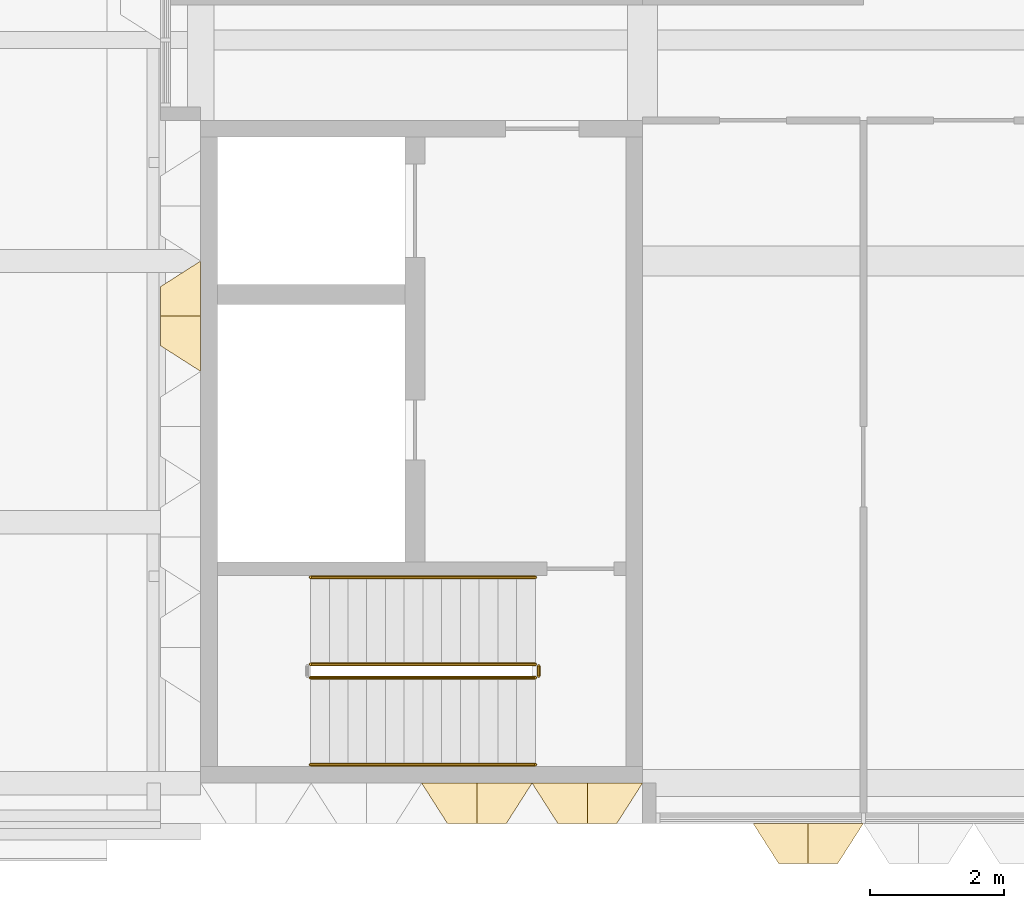
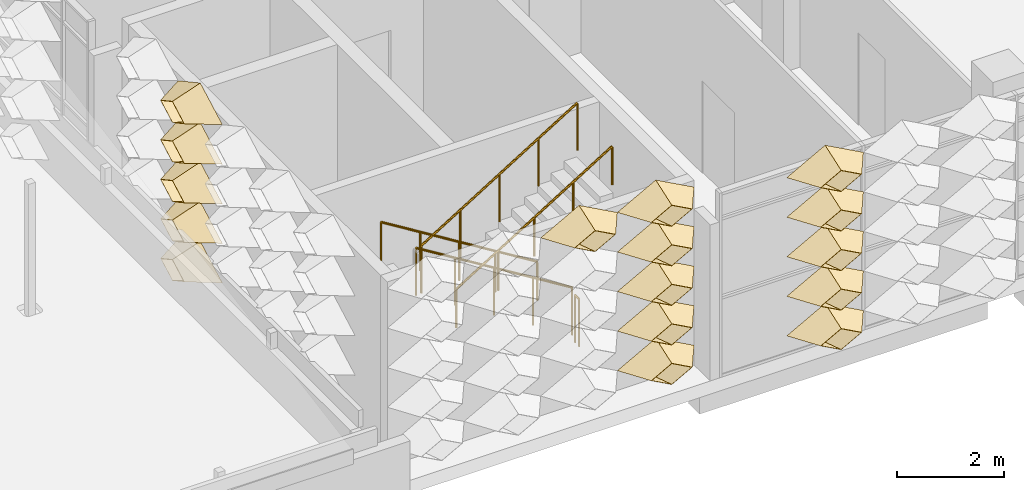
# One storey, part 23 of 39: 16 coverings, 5 railings.
"""IFC4 building model written with IfcOpenShell, lengths in metres."""

import ifcopenshell
import ifcopenshell.guid

model = None  # the IFC model being written
_history = None  # IfcOwnerHistory: only IFC2X3 demands one
_inside = {}  # id of a spatial element -> (the spatial element, [elements in it])
_under = {}  # id of a project, library or spatial element -> (it, [spatial elements below it])
_declared = {}  # id of a project -> (the project, [libraries it declares])
_typed = {}  # id of a type object -> (the type object, [elements of that type])
_made_of = {}  # id of a material, layer set ... -> (it, [elements and type objects made of it])


def new_model(schema):
    """Start an empty IFC model of exactly this schema.

    Asked for "IFC4X3", IfcOpenShell would pick the latest addendum, in which some entities
    have other attributes; the version numbers below select the first issue.
    IFC2X3 requires an IfcOwnerHistory on every rooted entity: one is made here for all.
    """
    global model, _history
    if schema == "IFC4X3":
        model = ifcopenshell.file(schema_version=(4, 3, 0, 0))
    else:
        model = ifcopenshell.file(schema=schema)
    _inside.clear()
    _under.clear()
    _declared.clear()
    _typed.clear()
    _made_of.clear()
    _history = None
    if model.schema == "IFC2X3":
        org = make("IfcOrganization", Name="unknown")
        user = make(
            "IfcPersonAndOrganization",
            ThePerson=make("IfcPerson", FamilyName="unknown"),
            TheOrganization=org,
        )
        app = make(
            "IfcApplication",
            ApplicationDeveloper=org,
            Version="unknown",
            ApplicationFullName="unknown",
            ApplicationIdentifier="unknown",
        )
        _history = make(
            "IfcOwnerHistory",
            OwningUser=user,
            OwningApplication=app,
            ChangeAction="ADDED",
            CreationDate=0,
        )
    return model


def make(cls, **values):
    """One entity of the class cls with the attributes given. An attribute that is None is left unset."""
    return model.create_entity(
        cls, **{name: value for name, value in values.items() if value is not None}
    )


def entity(cls, *values):
    """Any entity or typed value of the class cls, its attributes in the order of the schema. None: left unset."""
    e = model.create_entity(cls)
    for i, value in enumerate(values):
        if value is not None:
            e[i] = value
    return e


def rooted(cls, **values):
    """An entity with a GlobalId (a new one), such as an element, a storey or a relation."""
    return make(cls, GlobalId=ifcopenshell.guid.new(), OwnerHistory=_history, **values)


def si_unit(unit_type, name, prefix=None):
    """IfcSIUnit, for example si_unit("LENGTHUNIT", "METRE", prefix="MILLI")."""
    return make("IfcSIUnit", UnitType=unit_type, Prefix=prefix, Name=name)


def assignment(units):
    """IfcUnitAssignment: the units of a project."""
    return None if units is None else make("IfcUnitAssignment", Units=units)


def point(xyz):
    """IfcCartesianPoint."""
    return None if xyz is None else make("IfcCartesianPoint", Coordinates=xyz)


def direction(xyz):
    """IfcDirection."""
    return None if xyz is None else make("IfcDirection", DirectionRatios=xyz)


def frame(location, z_axis=None, x_axis=None):
    """IfcAxis2Placement3D, a coordinate frame: its origin and axes. An axis left out is left unset."""
    return make(
        "IfcAxis2Placement3D",
        Location=point(location),
        Axis=direction(z_axis),
        RefDirection=direction(x_axis),
    )


def frame_2d(location, x_axis=None):
    """IfcAxis2Placement2D, a coordinate frame in the plane: its origin and x axis."""
    return make(
        "IfcAxis2Placement2D", Location=point(location), RefDirection=direction(x_axis)
    )


def origin():
    """The frame at (0, 0, 0) with its axes left unset."""
    return frame((0.0, 0.0, 0.0))


def origin_2d():
    """The frame at (0, 0) in the plane with its x axis left unset."""
    return frame_2d((0.0, 0.0))


def place(relative_to, where):
    """IfcLocalPlacement: puts the frame where relative to a parent placement (None: the world)."""
    return make(
        "IfcLocalPlacement", PlacementRelTo=relative_to, RelativePlacement=where
    )


def context(
    kind, dimensions, precision=None, world=None, true_north=None, identifier=None
):
    """IfcGeometricRepresentationContext, for example the 3D "Model" context."""
    return make(
        "IfcGeometricRepresentationContext",
        ContextIdentifier=identifier,
        ContextType=kind,
        CoordinateSpaceDimension=dimensions,
        Precision=precision,
        WorldCoordinateSystem=world,
        TrueNorth=true_north,
    )


def subcontext(parent, identifier, kind, view, scale=None):
    """IfcGeometricRepresentationSubContext, for example "Body" below "Model"."""
    return make(
        "IfcGeometricRepresentationSubContext",
        ContextIdentifier=identifier,
        ContextType=kind,
        ParentContext=parent,
        TargetScale=scale,
        TargetView=view,
    )


def project(units=None, contexts=None):
    """IfcProject with its units and contexts."""
    return rooted(
        "IfcProject",
        Name="project",
        RepresentationContexts=contexts,
        UnitsInContext=assignment(units),
    )


def spatial(cls, under=None, at=None, **own):
    """A site, building, storey or space (cls), placed at a placement, below another one or the project."""
    s = rooted(cls, ObjectPlacement=at, **own)
    if under is not None:
        _under.setdefault(under.id(), (under, []))[1].append(s)
    return s


def profile(cls, at=None, kind="AREA", **sizes):
    """A parametric profile (cls). Its sizes go by their IFC names, for example OverallWidth=200.0."""
    return make(cls, ProfileType=kind, Position=at, **sizes)


def circle(**sizes):
    """IfcCircleProfileDef."""
    return profile("IfcCircleProfileDef", **sizes)


def extrude(swept, where, along, depth):
    """IfcExtrudedAreaSolid: the profile swept, set in the frame where, extruded along a direction by depth."""
    return make(
        "IfcExtrudedAreaSolid",
        SweptArea=swept,
        Position=where,
        ExtrudedDirection=direction(along),
        Depth=depth,
    )


def shape(context_of_items, identifier, shape_type, items):
    """IfcShapeRepresentation: the items that make up one representation, for example the "Body"."""
    return make(
        "IfcShapeRepresentation",
        ContextOfItems=context_of_items,
        RepresentationIdentifier=identifier,
        RepresentationType=shape_type,
        Items=items,
    )


def material(Name=None, Category=None):
    """IfcMaterial."""
    return make("IfcMaterial", Name=Name, Category=Category)


def layer(
    of_material, thickness, ventilated=None, Name=None, Category=None, Priority=None
):
    """IfcMaterialLayer: one layer of a wall or slab, of a material (None: an air gap)."""
    return make(
        "IfcMaterialLayer",
        Material=of_material,
        LayerThickness=thickness,
        IsVentilated=ventilated,
        Name=Name,
        Category=Category,
        Priority=Priority,
    )


def layer_set(layers, Name=None):
    """IfcMaterialLayerSet."""
    return make("IfcMaterialLayerSet", MaterialLayers=layers, LayerSetName=Name)


def made_of(thing, what):
    """Note that an element or type object is made of a material, layer set ...; save() writes the relation."""
    if what is not None:
        _made_of.setdefault(what.id(), (what, []))[1].append(thing)
    return thing


def type_object(cls, material=None, **own):
    """A type object (cls), such as IfcWallType, which elements share."""
    return made_of(rooted(cls, **own), material)


def element(
    cls,
    number,
    at=None,
    inside=None,
    cuts=None,
    type_object=None,
    material=None,
    context=None,
    identifier="Body",
    shape_type=None,
    held_by="IfcProductDefinitionShape",
    body=None,
    shapes=None,
    **own,
):
    """One element of the class cls, such as IfcWall. Its Tag is "e" and its number.

    at: its placement. inside: the storey or other place that contains it. cuts: it is an
    opening in that element (IfcRelVoidsElement). A single representation is given by context,
    identifier, shape_type and body (its items); several are given by shapes. held_by: the class
    of the entity that holds the representations. save() writes the other relations.
    """
    e = rooted(cls, Tag="e%d" % number, ObjectPlacement=at, **own)
    if body is not None:
        shapes = [shape(context, identifier, shape_type, body)]
    if shapes is not None:
        e.Representation = make(held_by, Representations=shapes)
    if inside is not None:
        _inside.setdefault(inside.id(), (inside, []))[1].append(e)
    if cuts is not None:
        rooted(
            "IfcRelVoidsElement", RelatingBuildingElement=cuts, RelatedOpeningElement=e
        )
    if type_object is not None:
        _typed.setdefault(type_object.id(), (type_object, []))[1].append(e)
    return made_of(e, material)


def aggregate(whole, parts):
    """IfcRelAggregates: a whole, such as a stair, and the parts it consists of."""
    return rooted("IfcRelAggregates", RelatingObject=whole, RelatedObjects=parts)


def save(model, path):
    """Write the relations noted so far, then the file.

    IfcRelAggregates (storeys below a building ...), IfcRelContainedInSpatialStructure (elements
    in a storey), IfcRelDefinesByType, IfcRelAssociatesMaterial and IfcRelDeclares: one each for
    every whole, place, type object, material and project.
    """
    for whole, parts in _under.values():
        aggregate(whole, parts)
    for where, things in _inside.values():
        rooted(
            "IfcRelContainedInSpatialStructure",
            RelatedElements=things,
            RelatingStructure=where,
        )
    for kind, things in _typed.values():
        rooted("IfcRelDefinesByType", RelatedObjects=things, RelatingType=kind)
    for what, things in _made_of.values():
        rooted("IfcRelAssociatesMaterial", RelatedObjects=things, RelatingMaterial=what)
    for by, libraries in _declared.values():
        rooted("IfcRelDeclares", RelatingContext=by, RelatedDefinitions=libraries)
    model.write(path)


model = new_model("IFC4")

# Units and contexts
model_context = context("Model", 3, precision=1e-05, world=origin(), true_north=direction((0.0, 1.0)))
body_context = subcontext(model_context, "Body", "Model", "MODEL_VIEW")
ifc_project = project(units=[si_unit("LENGTHUNIT", "METRE"), si_unit("AREAUNIT", "SQUARE_METRE"), si_unit("VOLUMEUNIT", "CUBIC_METRE"), si_unit("PLANEANGLEUNIT", "RADIAN"), si_unit("MASSUNIT", "GRAM", prefix="KILO")], contexts=[model_context])

# Site, building, storey
site_placement = place(None, origin())
site = spatial("IfcSite", under=ifc_project, at=site_placement, CompositionType="ELEMENT")
building_placement = place(site_placement, origin())
building = spatial("IfcBuilding", under=site, at=building_placement, Name="Lantern Court Research Institute", CompositionType="ELEMENT")
storey_placement = place(building_placement, frame((0.0, 0.0, 27.89990234375)))
storey = spatial("IfcBuildingStorey", under=building, at=storey_placement, Name="L06", CompositionType="ELEMENT", Elevation=27.89990234375)

# Coverings
ifc_material_1 = material(Name="Anodised aluminium", Category="aluminium")
ifc_layer = layer(ifc_material_1, 0.01611328125)
ifc_layer_set = layer_set([ifc_layer], Name="Anodised aluminium")
covering_type = type_object("IfcCoveringType", Name="Fin cassette 1650 x 900 x 600 aluminium", PredefinedType="CLADDING", material=ifc_layer_set)
covering_1_placement = place(storey_placement, frame((58.574951171875, -7.800048828125, 0.4501953125), z_axis=(0.0, -1.0, 0.0), x_axis=(1.0, 0.0, 0.0)))
cartesian_point_1 = entity("IfcCartesianPoint", [0.824951171875, 0.0])
cartesian_point_2 = entity("IfcCartesianPoint", [0.79150390625, 0.0])
cartesian_point_3 = entity("IfcCartesianPoint", [0.44189453125, 0.0])
cartesian_point_4 = entity("IfcCartesianPoint", [0.43359375, 0.0])
element("IfcCovering", 1, at=covering_1_placement, inside=storey, type_object=covering_type, Name="Fin cassette V5S-L06 1.36", PredefinedType="CLADDING", context=body_context, shape_type="SweptSolid", body=[
    entity("IfcExtrudedAreaSolidTapered", entity("IfcArbitraryProfileDefWithVoids", "AREA", None, entity("IfcPolyline", [cartesian_point_1, entity("IfcCartesianPoint", [0.0, 0.449951171875]), entity("IfcCartesianPoint", [-0.824951171875, 0.0]), entity("IfcCartesianPoint", [0.0, -0.449951171875]), cartesian_point_1]), [entity("IfcPolyline", [cartesian_point_2, entity("IfcCartesianPoint", [0.0, 0.431884765625]), entity("IfcCartesianPoint", [-0.79150390625, 0.0]), entity("IfcCartesianPoint", [0.0, -0.431884765625]), cartesian_point_2])]), entity("IfcAxis2Placement3D", entity("IfcCartesianPoint", [0.0, 0.0, 0.0])), entity("IfcDirection", [0.0, 0.0, 1.0]), 0.60009765625, entity("IfcArbitraryProfileDefWithVoids", "AREA", None, entity("IfcPolyline", [cartesian_point_3, entity("IfcCartesianPoint", [0.0, 0.240966796875]), entity("IfcCartesianPoint", [-0.44189453125, 0.0]), entity("IfcCartesianPoint", [0.0, -0.240966796875]), cartesian_point_3]), [entity("IfcPolyline", [cartesian_point_4, entity("IfcCartesianPoint", [0.0, 0.236572265625]), entity("IfcCartesianPoint", [-0.43359375, 0.0]), entity("IfcCartesianPoint", [0.0, -0.236572265625]), cartesian_point_4])])),
])
covering_2_placement = place(storey_placement, frame((58.574951171875, -7.800048828125, 1.35009765625), z_axis=(0.0, -1.0, 0.0), x_axis=(1.0, 0.0, 0.0)))
cartesian_point_5 = entity("IfcCartesianPoint", [0.824951171875, 0.0])
cartesian_point_6 = entity("IfcCartesianPoint", [0.79150390625, 0.0])
cartesian_point_7 = entity("IfcCartesianPoint", [0.44189453125, 0.0])
cartesian_point_8 = entity("IfcCartesianPoint", [0.43359375, 0.0])
element("IfcCovering", 2, at=covering_2_placement, inside=storey, type_object=covering_type, Name="Fin cassette V5S-L06 2.36", PredefinedType="CLADDING", context=body_context, shape_type="SweptSolid", body=[
    entity("IfcExtrudedAreaSolidTapered", entity("IfcArbitraryProfileDefWithVoids", "AREA", None, entity("IfcPolyline", [cartesian_point_5, entity("IfcCartesianPoint", [0.0, 0.449951171875]), entity("IfcCartesianPoint", [-0.824951171875, 0.0]), entity("IfcCartesianPoint", [0.0, -0.449951171875]), cartesian_point_5]), [entity("IfcPolyline", [cartesian_point_6, entity("IfcCartesianPoint", [0.0, 0.431884765625]), entity("IfcCartesianPoint", [-0.79150390625, 0.0]), entity("IfcCartesianPoint", [0.0, -0.431884765625]), cartesian_point_6])]), entity("IfcAxis2Placement3D", entity("IfcCartesianPoint", [0.0, 0.0, 0.0])), entity("IfcDirection", [0.0, 0.0, 1.0]), 0.60009765625, entity("IfcArbitraryProfileDefWithVoids", "AREA", None, entity("IfcPolyline", [cartesian_point_7, entity("IfcCartesianPoint", [0.0, 0.240966796875]), entity("IfcCartesianPoint", [-0.44189453125, 0.0]), entity("IfcCartesianPoint", [0.0, -0.240966796875]), cartesian_point_7]), [entity("IfcPolyline", [cartesian_point_8, entity("IfcCartesianPoint", [0.0, 0.236572265625]), entity("IfcCartesianPoint", [-0.43359375, 0.0]), entity("IfcCartesianPoint", [0.0, -0.236572265625]), cartesian_point_8])])),
])
covering_3_placement = place(storey_placement, frame((58.574951171875, -7.800048828125, 2.25), z_axis=(0.0, -1.0, 0.0), x_axis=(1.0, 0.0, 0.0)))
cartesian_point_9 = entity("IfcCartesianPoint", [0.824951171875, 0.0])
cartesian_point_10 = entity("IfcCartesianPoint", [0.79150390625, 0.0])
cartesian_point_11 = entity("IfcCartesianPoint", [0.44189453125, 0.0])
cartesian_point_12 = entity("IfcCartesianPoint", [0.43359375, 0.0])
element("IfcCovering", 3, at=covering_3_placement, inside=storey, type_object=covering_type, Name="Fin cassette V5S-L06 3.36", PredefinedType="CLADDING", context=body_context, shape_type="SweptSolid", body=[
    entity("IfcExtrudedAreaSolidTapered", entity("IfcArbitraryProfileDefWithVoids", "AREA", None, entity("IfcPolyline", [cartesian_point_9, entity("IfcCartesianPoint", [0.0, 0.449951171875]), entity("IfcCartesianPoint", [-0.824951171875, 0.0]), entity("IfcCartesianPoint", [0.0, -0.449951171875]), cartesian_point_9]), [entity("IfcPolyline", [cartesian_point_10, entity("IfcCartesianPoint", [0.0, 0.431884765625]), entity("IfcCartesianPoint", [-0.79150390625, 0.0]), entity("IfcCartesianPoint", [0.0, -0.431884765625]), cartesian_point_10])]), entity("IfcAxis2Placement3D", entity("IfcCartesianPoint", [0.0, 0.0, 0.0])), entity("IfcDirection", [0.0, 0.0, 1.0]), 0.60009765625, entity("IfcArbitraryProfileDefWithVoids", "AREA", None, entity("IfcPolyline", [cartesian_point_11, entity("IfcCartesianPoint", [0.0, 0.240966796875]), entity("IfcCartesianPoint", [-0.44189453125, 0.0]), entity("IfcCartesianPoint", [0.0, -0.240966796875]), cartesian_point_11]), [entity("IfcPolyline", [cartesian_point_12, entity("IfcCartesianPoint", [0.0, 0.236572265625]), entity("IfcCartesianPoint", [-0.43359375, 0.0]), entity("IfcCartesianPoint", [0.0, -0.236572265625]), cartesian_point_12])])),
])
covering_4_placement = place(storey_placement, frame((58.574951171875, -7.800048828125, 3.150146484375), z_axis=(0.0, -1.0, 0.0), x_axis=(1.0, 0.0, 0.0)))
cartesian_point_13 = entity("IfcCartesianPoint", [0.824951171875, 0.0])
cartesian_point_14 = entity("IfcCartesianPoint", [0.79150390625, 0.0])
cartesian_point_15 = entity("IfcCartesianPoint", [0.44189453125, 0.0])
cartesian_point_16 = entity("IfcCartesianPoint", [0.43359375, 0.0])
element("IfcCovering", 4, at=covering_4_placement, inside=storey, type_object=covering_type, Name="Fin cassette V5S-L06 4.36", PredefinedType="CLADDING", context=body_context, shape_type="SweptSolid", body=[
    entity("IfcExtrudedAreaSolidTapered", entity("IfcArbitraryProfileDefWithVoids", "AREA", None, entity("IfcPolyline", [cartesian_point_13, entity("IfcCartesianPoint", [0.0, 0.449951171875]), entity("IfcCartesianPoint", [-0.824951171875, 0.0]), entity("IfcCartesianPoint", [0.0, -0.449951171875]), cartesian_point_13]), [entity("IfcPolyline", [cartesian_point_14, entity("IfcCartesianPoint", [0.0, 0.431884765625]), entity("IfcCartesianPoint", [-0.79150390625, 0.0]), entity("IfcCartesianPoint", [0.0, -0.431884765625]), cartesian_point_14])]), entity("IfcAxis2Placement3D", entity("IfcCartesianPoint", [0.0, 0.0, 0.0])), entity("IfcDirection", [0.0, 0.0, 1.0]), 0.60009765625, entity("IfcArbitraryProfileDefWithVoids", "AREA", None, entity("IfcPolyline", [cartesian_point_15, entity("IfcCartesianPoint", [0.0, 0.240966796875]), entity("IfcCartesianPoint", [-0.44189453125, 0.0]), entity("IfcCartesianPoint", [0.0, -0.240966796875]), cartesian_point_15]), [entity("IfcPolyline", [cartesian_point_16, entity("IfcCartesianPoint", [0.0, 0.236572265625]), entity("IfcCartesianPoint", [-0.43359375, 0.0]), entity("IfcCartesianPoint", [0.0, -0.236572265625]), cartesian_point_16])])),
])
covering_5_placement = place(storey_placement, frame((56.925048828125, -7.800048828125, 4.050048828125), z_axis=(0.0, -1.0, 0.0), x_axis=(1.0, 0.0, 0.0)))
cartesian_point_17 = entity("IfcCartesianPoint", [0.824951171875, 0.0])
cartesian_point_18 = entity("IfcCartesianPoint", [0.79150390625, 0.0])
cartesian_point_19 = entity("IfcCartesianPoint", [0.44189453125, 0.0])
cartesian_point_20 = entity("IfcCartesianPoint", [0.43359375, 0.0])
element("IfcCovering", 5, at=covering_5_placement, inside=storey, type_object=covering_type, Name="Fin cassette V5S-L06 5.35", PredefinedType="CLADDING", context=body_context, shape_type="SweptSolid", body=[
    entity("IfcExtrudedAreaSolidTapered", entity("IfcArbitraryProfileDefWithVoids", "AREA", None, entity("IfcPolyline", [cartesian_point_17, entity("IfcCartesianPoint", [0.0, 0.449951171875]), entity("IfcCartesianPoint", [-0.824951171875, 0.0]), entity("IfcCartesianPoint", [0.0, -0.449951171875]), cartesian_point_17]), [entity("IfcPolyline", [cartesian_point_18, entity("IfcCartesianPoint", [0.0, 0.431884765625]), entity("IfcCartesianPoint", [-0.79150390625, 0.0]), entity("IfcCartesianPoint", [0.0, -0.431884765625]), cartesian_point_18])]), entity("IfcAxis2Placement3D", entity("IfcCartesianPoint", [0.0, 0.0, 0.0])), entity("IfcDirection", [0.0, 0.0, 1.0]), 0.60009765625, entity("IfcArbitraryProfileDefWithVoids", "AREA", None, entity("IfcPolyline", [cartesian_point_19, entity("IfcCartesianPoint", [0.0, 0.240966796875]), entity("IfcCartesianPoint", [-0.44189453125, 0.0]), entity("IfcCartesianPoint", [0.0, -0.240966796875]), cartesian_point_19]), [entity("IfcPolyline", [cartesian_point_20, entity("IfcCartesianPoint", [0.0, 0.236572265625]), entity("IfcCartesianPoint", [-0.43359375, 0.0]), entity("IfcCartesianPoint", [0.0, -0.236572265625]), cartesian_point_20])])),
])
covering_6_placement = place(storey_placement, frame((58.574951171875, -7.800048828125, 4.050048828125), z_axis=(0.0, -1.0, 0.0), x_axis=(1.0, 0.0, 0.0)))
cartesian_point_21 = entity("IfcCartesianPoint", [0.824951171875, 0.0])
cartesian_point_22 = entity("IfcCartesianPoint", [0.79150390625, 0.0])
cartesian_point_23 = entity("IfcCartesianPoint", [0.44189453125, 0.0])
cartesian_point_24 = entity("IfcCartesianPoint", [0.43359375, 0.0])
element("IfcCovering", 6, at=covering_6_placement, inside=storey, type_object=covering_type, Name="Fin cassette V5S-L06 5.36", PredefinedType="CLADDING", context=body_context, shape_type="SweptSolid", body=[
    entity("IfcExtrudedAreaSolidTapered", entity("IfcArbitraryProfileDefWithVoids", "AREA", None, entity("IfcPolyline", [cartesian_point_21, entity("IfcCartesianPoint", [0.0, 0.449951171875]), entity("IfcCartesianPoint", [-0.824951171875, 0.0]), entity("IfcCartesianPoint", [0.0, -0.449951171875]), cartesian_point_21]), [entity("IfcPolyline", [cartesian_point_22, entity("IfcCartesianPoint", [0.0, 0.431884765625]), entity("IfcCartesianPoint", [-0.79150390625, 0.0]), entity("IfcCartesianPoint", [0.0, -0.431884765625]), cartesian_point_22])]), entity("IfcAxis2Placement3D", entity("IfcCartesianPoint", [0.0, 0.0, 0.0])), entity("IfcDirection", [0.0, 0.0, 1.0]), 0.60009765625, entity("IfcArbitraryProfileDefWithVoids", "AREA", None, entity("IfcPolyline", [cartesian_point_23, entity("IfcCartesianPoint", [0.0, 0.240966796875]), entity("IfcCartesianPoint", [-0.44189453125, 0.0]), entity("IfcCartesianPoint", [0.0, -0.240966796875]), cartesian_point_23]), [entity("IfcPolyline", [cartesian_point_24, entity("IfcCartesianPoint", [0.0, 0.236572265625]), entity("IfcCartesianPoint", [-0.43359375, 0.0]), entity("IfcCartesianPoint", [0.0, -0.236572265625]), cartesian_point_24])])),
])
covering_7_placement = place(storey_placement, frame((61.875, -8.39990234375, 0.4501953125), z_axis=(0.0, -1.0, 0.0), x_axis=(1.0, 0.0, 0.0)))
cartesian_point_25 = entity("IfcCartesianPoint", [0.824951171875, 0.0])
cartesian_point_26 = entity("IfcCartesianPoint", [0.79150390625, 0.0])
cartesian_point_27 = entity("IfcCartesianPoint", [0.44189453125, 0.0])
cartesian_point_28 = entity("IfcCartesianPoint", [0.43359375, 0.0])
element("IfcCovering", 7, at=covering_7_placement, inside=storey, type_object=covering_type, Name="Fin cassette V5S-L06 1.38", PredefinedType="CLADDING", context=body_context, shape_type="SweptSolid", body=[
    entity("IfcExtrudedAreaSolidTapered", entity("IfcArbitraryProfileDefWithVoids", "AREA", None, entity("IfcPolyline", [cartesian_point_25, entity("IfcCartesianPoint", [0.0, 0.449951171875]), entity("IfcCartesianPoint", [-0.824951171875, 0.0]), entity("IfcCartesianPoint", [0.0, -0.449951171875]), cartesian_point_25]), [entity("IfcPolyline", [cartesian_point_26, entity("IfcCartesianPoint", [0.0, 0.431884765625]), entity("IfcCartesianPoint", [-0.79150390625, 0.0]), entity("IfcCartesianPoint", [0.0, -0.431884765625]), cartesian_point_26])]), entity("IfcAxis2Placement3D", entity("IfcCartesianPoint", [0.0, 0.0, 0.0])), entity("IfcDirection", [0.0, 0.0, 1.0]), 0.60009765625, entity("IfcArbitraryProfileDefWithVoids", "AREA", None, entity("IfcPolyline", [cartesian_point_27, entity("IfcCartesianPoint", [0.0, 0.240966796875]), entity("IfcCartesianPoint", [-0.44189453125, 0.0]), entity("IfcCartesianPoint", [0.0, -0.240966796875]), cartesian_point_27]), [entity("IfcPolyline", [cartesian_point_28, entity("IfcCartesianPoint", [0.0, 0.236572265625]), entity("IfcCartesianPoint", [-0.43359375, 0.0]), entity("IfcCartesianPoint", [0.0, -0.236572265625]), cartesian_point_28])])),
])
covering_8_placement = place(storey_placement, frame((61.875, -8.39990234375, 1.35009765625), z_axis=(0.0, -1.0, 0.0), x_axis=(1.0, 0.0, 0.0)))
cartesian_point_29 = entity("IfcCartesianPoint", [0.824951171875, 0.0])
cartesian_point_30 = entity("IfcCartesianPoint", [0.79150390625, 0.0])
cartesian_point_31 = entity("IfcCartesianPoint", [0.44189453125, 0.0])
cartesian_point_32 = entity("IfcCartesianPoint", [0.43359375, 0.0])
element("IfcCovering", 8, at=covering_8_placement, inside=storey, type_object=covering_type, Name="Fin cassette V5S-L06 2.38", PredefinedType="CLADDING", context=body_context, shape_type="SweptSolid", body=[
    entity("IfcExtrudedAreaSolidTapered", entity("IfcArbitraryProfileDefWithVoids", "AREA", None, entity("IfcPolyline", [cartesian_point_29, entity("IfcCartesianPoint", [0.0, 0.449951171875]), entity("IfcCartesianPoint", [-0.824951171875, 0.0]), entity("IfcCartesianPoint", [0.0, -0.449951171875]), cartesian_point_29]), [entity("IfcPolyline", [cartesian_point_30, entity("IfcCartesianPoint", [0.0, 0.431884765625]), entity("IfcCartesianPoint", [-0.79150390625, 0.0]), entity("IfcCartesianPoint", [0.0, -0.431884765625]), cartesian_point_30])]), entity("IfcAxis2Placement3D", entity("IfcCartesianPoint", [0.0, 0.0, 0.0])), entity("IfcDirection", [0.0, 0.0, 1.0]), 0.60009765625, entity("IfcArbitraryProfileDefWithVoids", "AREA", None, entity("IfcPolyline", [cartesian_point_31, entity("IfcCartesianPoint", [0.0, 0.240966796875]), entity("IfcCartesianPoint", [-0.44189453125, 0.0]), entity("IfcCartesianPoint", [0.0, -0.240966796875]), cartesian_point_31]), [entity("IfcPolyline", [cartesian_point_32, entity("IfcCartesianPoint", [0.0, 0.236572265625]), entity("IfcCartesianPoint", [-0.43359375, 0.0]), entity("IfcCartesianPoint", [0.0, -0.236572265625]), cartesian_point_32])])),
])
covering_9_placement = place(storey_placement, frame((61.875, -8.39990234375, 2.25), z_axis=(0.0, -1.0, 0.0), x_axis=(1.0, 0.0, 0.0)))
cartesian_point_33 = entity("IfcCartesianPoint", [0.824951171875, 0.0])
cartesian_point_34 = entity("IfcCartesianPoint", [0.79150390625, 0.0])
cartesian_point_35 = entity("IfcCartesianPoint", [0.44189453125, 0.0])
cartesian_point_36 = entity("IfcCartesianPoint", [0.43359375, 0.0])
element("IfcCovering", 9, at=covering_9_placement, inside=storey, type_object=covering_type, Name="Fin cassette V5S-L06 3.38", PredefinedType="CLADDING", context=body_context, shape_type="SweptSolid", body=[
    entity("IfcExtrudedAreaSolidTapered", entity("IfcArbitraryProfileDefWithVoids", "AREA", None, entity("IfcPolyline", [cartesian_point_33, entity("IfcCartesianPoint", [0.0, 0.449951171875]), entity("IfcCartesianPoint", [-0.824951171875, 0.0]), entity("IfcCartesianPoint", [0.0, -0.449951171875]), cartesian_point_33]), [entity("IfcPolyline", [cartesian_point_34, entity("IfcCartesianPoint", [0.0, 0.431884765625]), entity("IfcCartesianPoint", [-0.79150390625, 0.0]), entity("IfcCartesianPoint", [0.0, -0.431884765625]), cartesian_point_34])]), entity("IfcAxis2Placement3D", entity("IfcCartesianPoint", [0.0, 0.0, 0.0])), entity("IfcDirection", [0.0, 0.0, 1.0]), 0.60009765625, entity("IfcArbitraryProfileDefWithVoids", "AREA", None, entity("IfcPolyline", [cartesian_point_35, entity("IfcCartesianPoint", [0.0, 0.240966796875]), entity("IfcCartesianPoint", [-0.44189453125, 0.0]), entity("IfcCartesianPoint", [0.0, -0.240966796875]), cartesian_point_35]), [entity("IfcPolyline", [cartesian_point_36, entity("IfcCartesianPoint", [0.0, 0.236572265625]), entity("IfcCartesianPoint", [-0.43359375, 0.0]), entity("IfcCartesianPoint", [0.0, -0.236572265625]), cartesian_point_36])])),
])
covering_10_placement = place(storey_placement, frame((61.875, -8.39990234375, 3.150146484375), z_axis=(0.0, -1.0, 0.0), x_axis=(1.0, 0.0, 0.0)))
cartesian_point_37 = entity("IfcCartesianPoint", [0.824951171875, 0.0])
cartesian_point_38 = entity("IfcCartesianPoint", [0.79150390625, 0.0])
cartesian_point_39 = entity("IfcCartesianPoint", [0.44189453125, 0.0])
cartesian_point_40 = entity("IfcCartesianPoint", [0.43359375, 0.0])
element("IfcCovering", 10, at=covering_10_placement, inside=storey, type_object=covering_type, Name="Fin cassette V5S-L06 4.38", PredefinedType="CLADDING", context=body_context, shape_type="SweptSolid", body=[
    entity("IfcExtrudedAreaSolidTapered", entity("IfcArbitraryProfileDefWithVoids", "AREA", None, entity("IfcPolyline", [cartesian_point_37, entity("IfcCartesianPoint", [0.0, 0.449951171875]), entity("IfcCartesianPoint", [-0.824951171875, 0.0]), entity("IfcCartesianPoint", [0.0, -0.449951171875]), cartesian_point_37]), [entity("IfcPolyline", [cartesian_point_38, entity("IfcCartesianPoint", [0.0, 0.431884765625]), entity("IfcCartesianPoint", [-0.79150390625, 0.0]), entity("IfcCartesianPoint", [0.0, -0.431884765625]), cartesian_point_38])]), entity("IfcAxis2Placement3D", entity("IfcCartesianPoint", [0.0, 0.0, 0.0])), entity("IfcDirection", [0.0, 0.0, 1.0]), 0.60009765625, entity("IfcArbitraryProfileDefWithVoids", "AREA", None, entity("IfcPolyline", [cartesian_point_39, entity("IfcCartesianPoint", [0.0, 0.240966796875]), entity("IfcCartesianPoint", [-0.44189453125, 0.0]), entity("IfcCartesianPoint", [0.0, -0.240966796875]), cartesian_point_39]), [entity("IfcPolyline", [cartesian_point_40, entity("IfcCartesianPoint", [0.0, 0.236572265625]), entity("IfcCartesianPoint", [-0.43359375, 0.0]), entity("IfcCartesianPoint", [0.0, -0.236572265625]), cartesian_point_40])])),
])
covering_11_placement = place(storey_placement, frame((61.875, -8.39990234375, 4.050048828125), z_axis=(0.0, -1.0, 0.0), x_axis=(1.0, 0.0, 0.0)))
cartesian_point_41 = entity("IfcCartesianPoint", [0.824951171875, 0.0])
cartesian_point_42 = entity("IfcCartesianPoint", [0.79150390625, 0.0])
cartesian_point_43 = entity("IfcCartesianPoint", [0.44189453125, 0.0])
cartesian_point_44 = entity("IfcCartesianPoint", [0.43359375, 0.0])
element("IfcCovering", 11, at=covering_11_placement, inside=storey, type_object=covering_type, Name="Fin cassette V5S-L06 5.38", PredefinedType="CLADDING", context=body_context, shape_type="SweptSolid", body=[
    entity("IfcExtrudedAreaSolidTapered", entity("IfcArbitraryProfileDefWithVoids", "AREA", None, entity("IfcPolyline", [cartesian_point_41, entity("IfcCartesianPoint", [0.0, 0.449951171875]), entity("IfcCartesianPoint", [-0.824951171875, 0.0]), entity("IfcCartesianPoint", [0.0, -0.449951171875]), cartesian_point_41]), [entity("IfcPolyline", [cartesian_point_42, entity("IfcCartesianPoint", [0.0, 0.431884765625]), entity("IfcCartesianPoint", [-0.79150390625, 0.0]), entity("IfcCartesianPoint", [0.0, -0.431884765625]), cartesian_point_42])]), entity("IfcAxis2Placement3D", entity("IfcCartesianPoint", [0.0, 0.0, 0.0])), entity("IfcDirection", [0.0, 0.0, 1.0]), 0.60009765625, entity("IfcArbitraryProfileDefWithVoids", "AREA", None, entity("IfcPolyline", [cartesian_point_43, entity("IfcCartesianPoint", [0.0, 0.240966796875]), entity("IfcCartesianPoint", [-0.44189453125, 0.0]), entity("IfcCartesianPoint", [0.0, -0.240966796875]), cartesian_point_43]), [entity("IfcPolyline", [cartesian_point_44, entity("IfcCartesianPoint", [0.0, 0.236572265625]), entity("IfcCartesianPoint", [-0.43359375, 0.0]), entity("IfcCartesianPoint", [0.0, -0.236572265625]), cartesian_point_44])])),
])
covering_12_placement = place(storey_placement, frame((52.800048828125, -0.824951171875, 0.4501953125), z_axis=(-1.0, 0.0, 0.0), x_axis=(0.0, -1.0, 0.0)))
cartesian_point_45 = entity("IfcCartesianPoint", [0.824951171875, 0.0])
cartesian_point_46 = entity("IfcCartesianPoint", [0.79150390625, 0.0])
cartesian_point_47 = entity("IfcCartesianPoint", [0.44189453125, 0.0])
cartesian_point_48 = entity("IfcCartesianPoint", [0.43359375, 0.0])
element("IfcCovering", 12, at=covering_12_placement, inside=storey, type_object=covering_type, Name="Fin cassette V5W-L06 1.0", PredefinedType="CLADDING", context=body_context, shape_type="SweptSolid", body=[
    entity("IfcExtrudedAreaSolidTapered", entity("IfcArbitraryProfileDefWithVoids", "AREA", None, entity("IfcPolyline", [cartesian_point_45, entity("IfcCartesianPoint", [0.0, 0.449951171875]), entity("IfcCartesianPoint", [-0.824951171875, 0.0]), entity("IfcCartesianPoint", [0.0, -0.449951171875]), cartesian_point_45]), [entity("IfcPolyline", [cartesian_point_46, entity("IfcCartesianPoint", [0.0, 0.431884765625]), entity("IfcCartesianPoint", [-0.79150390625, 0.0]), entity("IfcCartesianPoint", [0.0, -0.431884765625]), cartesian_point_46])]), entity("IfcAxis2Placement3D", entity("IfcCartesianPoint", [0.0, 0.0, 0.0])), entity("IfcDirection", [0.0, 0.0, 1.0]), 0.60009765625, entity("IfcArbitraryProfileDefWithVoids", "AREA", None, entity("IfcPolyline", [cartesian_point_47, entity("IfcCartesianPoint", [0.0, 0.240966796875]), entity("IfcCartesianPoint", [-0.44189453125, 0.0]), entity("IfcCartesianPoint", [0.0, -0.240966796875]), cartesian_point_47]), [entity("IfcPolyline", [cartesian_point_48, entity("IfcCartesianPoint", [0.0, 0.236572265625]), entity("IfcCartesianPoint", [-0.43359375, 0.0]), entity("IfcCartesianPoint", [0.0, -0.236572265625]), cartesian_point_48])])),
])
covering_13_placement = place(storey_placement, frame((52.800048828125, -0.824951171875, 1.35009765625), z_axis=(-1.0, 0.0, 0.0), x_axis=(0.0, -1.0, 0.0)))
cartesian_point_49 = entity("IfcCartesianPoint", [0.824951171875, 0.0])
cartesian_point_50 = entity("IfcCartesianPoint", [0.79150390625, 0.0])
cartesian_point_51 = entity("IfcCartesianPoint", [0.44189453125, 0.0])
cartesian_point_52 = entity("IfcCartesianPoint", [0.43359375, 0.0])
element("IfcCovering", 13, at=covering_13_placement, inside=storey, type_object=covering_type, Name="Fin cassette V5W-L06 2.0", PredefinedType="CLADDING", context=body_context, shape_type="SweptSolid", body=[
    entity("IfcExtrudedAreaSolidTapered", entity("IfcArbitraryProfileDefWithVoids", "AREA", None, entity("IfcPolyline", [cartesian_point_49, entity("IfcCartesianPoint", [0.0, 0.449951171875]), entity("IfcCartesianPoint", [-0.824951171875, 0.0]), entity("IfcCartesianPoint", [0.0, -0.449951171875]), cartesian_point_49]), [entity("IfcPolyline", [cartesian_point_50, entity("IfcCartesianPoint", [0.0, 0.431884765625]), entity("IfcCartesianPoint", [-0.79150390625, 0.0]), entity("IfcCartesianPoint", [0.0, -0.431884765625]), cartesian_point_50])]), entity("IfcAxis2Placement3D", entity("IfcCartesianPoint", [0.0, 0.0, 0.0])), entity("IfcDirection", [0.0, 0.0, 1.0]), 0.60009765625, entity("IfcArbitraryProfileDefWithVoids", "AREA", None, entity("IfcPolyline", [cartesian_point_51, entity("IfcCartesianPoint", [0.0, 0.240966796875]), entity("IfcCartesianPoint", [-0.44189453125, 0.0]), entity("IfcCartesianPoint", [0.0, -0.240966796875]), cartesian_point_51]), [entity("IfcPolyline", [cartesian_point_52, entity("IfcCartesianPoint", [0.0, 0.236572265625]), entity("IfcCartesianPoint", [-0.43359375, 0.0]), entity("IfcCartesianPoint", [0.0, -0.236572265625]), cartesian_point_52])])),
])
covering_14_placement = place(storey_placement, frame((52.800048828125, -0.824951171875, 2.25), z_axis=(-1.0, 0.0, 0.0), x_axis=(0.0, -1.0, 0.0)))
cartesian_point_53 = entity("IfcCartesianPoint", [0.824951171875, 0.0])
cartesian_point_54 = entity("IfcCartesianPoint", [0.79150390625, 0.0])
cartesian_point_55 = entity("IfcCartesianPoint", [0.44189453125, 0.0])
cartesian_point_56 = entity("IfcCartesianPoint", [0.43359375, 0.0])
element("IfcCovering", 14, at=covering_14_placement, inside=storey, type_object=covering_type, Name="Fin cassette V5W-L06 3.0", PredefinedType="CLADDING", context=body_context, shape_type="SweptSolid", body=[
    entity("IfcExtrudedAreaSolidTapered", entity("IfcArbitraryProfileDefWithVoids", "AREA", None, entity("IfcPolyline", [cartesian_point_53, entity("IfcCartesianPoint", [0.0, 0.449951171875]), entity("IfcCartesianPoint", [-0.824951171875, 0.0]), entity("IfcCartesianPoint", [0.0, -0.449951171875]), cartesian_point_53]), [entity("IfcPolyline", [cartesian_point_54, entity("IfcCartesianPoint", [0.0, 0.431884765625]), entity("IfcCartesianPoint", [-0.79150390625, 0.0]), entity("IfcCartesianPoint", [0.0, -0.431884765625]), cartesian_point_54])]), entity("IfcAxis2Placement3D", entity("IfcCartesianPoint", [0.0, 0.0, 0.0])), entity("IfcDirection", [0.0, 0.0, 1.0]), 0.60009765625, entity("IfcArbitraryProfileDefWithVoids", "AREA", None, entity("IfcPolyline", [cartesian_point_55, entity("IfcCartesianPoint", [0.0, 0.240966796875]), entity("IfcCartesianPoint", [-0.44189453125, 0.0]), entity("IfcCartesianPoint", [0.0, -0.240966796875]), cartesian_point_55]), [entity("IfcPolyline", [cartesian_point_56, entity("IfcCartesianPoint", [0.0, 0.236572265625]), entity("IfcCartesianPoint", [-0.43359375, 0.0]), entity("IfcCartesianPoint", [0.0, -0.236572265625]), cartesian_point_56])])),
])
covering_15_placement = place(storey_placement, frame((52.800048828125, -0.824951171875, 3.150146484375), z_axis=(-1.0, 0.0, 0.0), x_axis=(0.0, -1.0, 0.0)))
cartesian_point_57 = entity("IfcCartesianPoint", [0.824951171875, 0.0])
cartesian_point_58 = entity("IfcCartesianPoint", [0.79150390625, 0.0])
cartesian_point_59 = entity("IfcCartesianPoint", [0.44189453125, 0.0])
cartesian_point_60 = entity("IfcCartesianPoint", [0.43359375, 0.0])
element("IfcCovering", 15, at=covering_15_placement, inside=storey, type_object=covering_type, Name="Fin cassette V5W-L06 4.0", PredefinedType="CLADDING", context=body_context, shape_type="SweptSolid", body=[
    entity("IfcExtrudedAreaSolidTapered", entity("IfcArbitraryProfileDefWithVoids", "AREA", None, entity("IfcPolyline", [cartesian_point_57, entity("IfcCartesianPoint", [0.0, 0.449951171875]), entity("IfcCartesianPoint", [-0.824951171875, 0.0]), entity("IfcCartesianPoint", [0.0, -0.449951171875]), cartesian_point_57]), [entity("IfcPolyline", [cartesian_point_58, entity("IfcCartesianPoint", [0.0, 0.431884765625]), entity("IfcCartesianPoint", [-0.79150390625, 0.0]), entity("IfcCartesianPoint", [0.0, -0.431884765625]), cartesian_point_58])]), entity("IfcAxis2Placement3D", entity("IfcCartesianPoint", [0.0, 0.0, 0.0])), entity("IfcDirection", [0.0, 0.0, 1.0]), 0.60009765625, entity("IfcArbitraryProfileDefWithVoids", "AREA", None, entity("IfcPolyline", [cartesian_point_59, entity("IfcCartesianPoint", [0.0, 0.240966796875]), entity("IfcCartesianPoint", [-0.44189453125, 0.0]), entity("IfcCartesianPoint", [0.0, -0.240966796875]), cartesian_point_59]), [entity("IfcPolyline", [cartesian_point_60, entity("IfcCartesianPoint", [0.0, 0.236572265625]), entity("IfcCartesianPoint", [-0.43359375, 0.0]), entity("IfcCartesianPoint", [0.0, -0.236572265625]), cartesian_point_60])])),
])
covering_16_placement = place(storey_placement, frame((52.800048828125, -0.824951171875, 4.050048828125), z_axis=(-1.0, 0.0, 0.0), x_axis=(0.0, -1.0, 0.0)))
cartesian_point_61 = entity("IfcCartesianPoint", [0.824951171875, 0.0])
cartesian_point_62 = entity("IfcCartesianPoint", [0.79150390625, 0.0])
cartesian_point_63 = entity("IfcCartesianPoint", [0.44189453125, 0.0])
cartesian_point_64 = entity("IfcCartesianPoint", [0.43359375, 0.0])
element("IfcCovering", 16, at=covering_16_placement, inside=storey, type_object=covering_type, Name="Fin cassette V5W-L06 5.0", PredefinedType="CLADDING", context=body_context, shape_type="SweptSolid", body=[
    entity("IfcExtrudedAreaSolidTapered", entity("IfcArbitraryProfileDefWithVoids", "AREA", None, entity("IfcPolyline", [cartesian_point_61, entity("IfcCartesianPoint", [0.0, 0.449951171875]), entity("IfcCartesianPoint", [-0.824951171875, 0.0]), entity("IfcCartesianPoint", [0.0, -0.449951171875]), cartesian_point_61]), [entity("IfcPolyline", [cartesian_point_62, entity("IfcCartesianPoint", [0.0, 0.431884765625]), entity("IfcCartesianPoint", [-0.79150390625, 0.0]), entity("IfcCartesianPoint", [0.0, -0.431884765625]), cartesian_point_62])]), entity("IfcAxis2Placement3D", entity("IfcCartesianPoint", [0.0, 0.0, 0.0])), entity("IfcDirection", [0.0, 0.0, 1.0]), 0.60009765625, entity("IfcArbitraryProfileDefWithVoids", "AREA", None, entity("IfcPolyline", [cartesian_point_63, entity("IfcCartesianPoint", [0.0, 0.240966796875]), entity("IfcCartesianPoint", [-0.44189453125, 0.0]), entity("IfcCartesianPoint", [0.0, -0.240966796875]), cartesian_point_63]), [entity("IfcPolyline", [cartesian_point_64, entity("IfcCartesianPoint", [0.0, 0.236572265625]), entity("IfcCartesianPoint", [-0.43359375, 0.0]), entity("IfcCartesianPoint", [0.0, -0.236572265625]), cartesian_point_64])])),
])

# Railings
ifc_material_2 = material(Name="Structural steel S355", Category="steel")
railing_type_1 = type_object("IfcRailingType", Name="Stair guard 1100 steel", PredefinedType="GUARDRAIL", material=ifc_material_2)
railing_1_placement = place(storey_placement, frame((57.800048828125, -6.02490234375, 0.173095703125)))
element("IfcRailing", 17, at=railing_1_placement, inside=storey, type_object=railing_type_1, Name="L06 ST-T1 stair guard 1", PredefinedType="GUARDRAIL", context=body_context, shape_type="SweptSolid", body=[
    extrude(circle(Radius=0.02392578125, at=origin_2d()), frame((0.0, 0.0, 1.076171875), z_axis=(-0.850623216509, 0.0, 0.525775754039), x_axis=(0.0, -1.0, 0.0)), (0.0, 0.0, 1.0), 3.9501953125),
    extrude(circle(Radius=0.02099609375, at=origin_2d()), origin(), (0.0, 0.0, 1.0), 1.052001953125),
    extrude(circle(Radius=0.02099609375, at=origin_2d()), frame((-0.840087890625, 0.0, 0.519287109375)), (0.0, 0.0, 1.0), 1.052001953125),
    extrude(circle(Radius=0.02099609375, at=origin_2d()), frame((-1.68017578125, 0.0, 1.03857421875)), (0.0, 0.0, 1.0), 1.052001953125),
    extrude(circle(Radius=0.02099609375, at=origin_2d()), frame((-2.52001953125, 0.0, 1.5576171875)), (0.0, 0.0, 1.0), 1.052001953125),
    extrude(circle(Radius=0.02099609375, at=origin_2d()), frame((-3.360107421875, 0.0, 2.076904296875)), (0.0, 0.0, 1.0), 1.052001953125),
])
railing_2_placement = place(storey_placement, frame((54.43994140625, -6.22509765625, 2.423095703125)))
element("IfcRailing", 18, at=railing_2_placement, inside=storey, type_object=railing_type_1, Name="L06 ST-T1 stair guard 3", PredefinedType="GUARDRAIL", context=body_context, shape_type="SweptSolid", body=[
    extrude(circle(Radius=0.02392578125, at=origin_2d()), frame((0.0, 0.0, 1.076171875), z_axis=(0.850623216509, 0.0, 0.525775754039), x_axis=(0.0, 1.0, 0.0)), (0.0, 0.0, 1.0), 3.9501953125),
    extrude(circle(Radius=0.02099609375, at=origin_2d()), origin(), (0.0, 0.0, 1.0), 1.052001953125),
    extrude(circle(Radius=0.02099609375, at=origin_2d()), frame((0.840087890625, 0.0, 0.519287109375)), (0.0, 0.0, 1.0), 1.052001953125),
    extrude(circle(Radius=0.02099609375, at=origin_2d()), frame((1.68017578125, 0.0, 1.03857421875)), (0.0, 0.0, 1.0), 1.052001953125),
    extrude(circle(Radius=0.02099609375, at=origin_2d()), frame((2.52001953125, 0.0, 1.5576171875)), (0.0, 0.0, 1.0), 1.052001953125),
    extrude(circle(Radius=0.02099609375, at=origin_2d()), frame((3.360107421875, 0.0, 2.076904296875)), (0.0, 0.0, 1.0), 1.052001953125),
])
railing_3_placement = place(storey_placement, frame((57.85009765625, -6.050048828125, 0.0)))
element("IfcRailing", 19, at=railing_3_placement, inside=storey, type_object=railing_type_1, Name="L06 ST-T1 stair guard 4", PredefinedType="GUARDRAIL", context=body_context, shape_type="SweptSolid", body=[
    extrude(circle(Radius=0.02392578125, at=origin_2d()), frame((0.0, 0.0, 1.076171875), z_axis=(0.0, -1.0, 0.0), x_axis=(1.0, 0.0, 0.0)), (0.0, 0.0, 1.0), 0.14990234375),
    extrude(circle(Radius=0.02099609375, at=origin_2d()), origin(), (0.0, 0.0, 1.0), 1.052001953125),
    extrude(circle(Radius=0.02099609375, at=origin_2d()), frame((0.0, -0.14990234375, 0.0)), (0.0, 0.0, 1.0), 1.052001953125),
])
ifc_material_3 = material(Name="Stainless steel 316", Category="steel")
railing_type_2 = type_object("IfcRailingType", Name="Stair handrail 900 steel", PredefinedType="HANDRAIL", material=ifc_material_3)
railing_4_placement = place(storey_placement, frame((57.800048828125, -4.72509765625, 0.173095703125)))
element("IfcRailing", 20, at=railing_4_placement, inside=storey, type_object=railing_type_2, Name="L06 ST-T1 stair handrail 1", PredefinedType="HANDRAIL", context=body_context, shape_type="SweptSolid", body=[
    extrude(circle(Radius=0.02392578125, at=origin_2d()), frame((0.0, 0.0, 0.8759765625), z_axis=(-0.850623216509, 0.0, 0.525775754039), x_axis=(0.0, -1.0, 0.0)), (0.0, 0.0, 1.0), 3.9501953125),
    extrude(circle(Radius=0.02099609375, at=origin_2d()), origin(), (0.0, 0.0, 1.0), 0.851806640625),
    extrude(circle(Radius=0.02099609375, at=origin_2d()), frame((-0.840087890625, 0.0, 0.519287109375)), (0.0, 0.0, 1.0), 0.851806640625),
    extrude(circle(Radius=0.02099609375, at=origin_2d()), frame((-1.68017578125, 0.0, 1.03857421875)), (0.0, 0.0, 1.0), 0.851806640625),
    extrude(circle(Radius=0.02099609375, at=origin_2d()), frame((-2.52001953125, 0.0, 1.5576171875)), (0.0, 0.0, 1.0), 0.851806640625),
    extrude(circle(Radius=0.02099609375, at=origin_2d()), frame((-3.360107421875, 0.0, 2.076904296875)), (0.0, 0.0, 1.0), 0.851806640625),
])
railing_5_placement = place(storey_placement, frame((54.43994140625, -7.52490234375, 2.423095703125)))
element("IfcRailing", 21, at=railing_5_placement, inside=storey, type_object=railing_type_2, Name="L06 ST-T1 stair handrail 2", PredefinedType="HANDRAIL", context=body_context, shape_type="SweptSolid", body=[
    extrude(circle(Radius=0.02392578125, at=origin_2d()), frame((0.0, 0.0, 0.8759765625), z_axis=(0.850623216509, 0.0, 0.525775754039), x_axis=(0.0, 1.0, 0.0)), (0.0, 0.0, 1.0), 3.9501953125),
    extrude(circle(Radius=0.02099609375, at=origin_2d()), origin(), (0.0, 0.0, 1.0), 0.851806640625),
    extrude(circle(Radius=0.02099609375, at=origin_2d()), frame((0.840087890625, 0.0, 0.519287109375)), (0.0, 0.0, 1.0), 0.851806640625),
    extrude(circle(Radius=0.02099609375, at=origin_2d()), frame((1.68017578125, 0.0, 1.03857421875)), (0.0, 0.0, 1.0), 0.851806640625),
    extrude(circle(Radius=0.02099609375, at=origin_2d()), frame((2.52001953125, 0.0, 1.5576171875)), (0.0, 0.0, 1.0), 0.851806640625),
    extrude(circle(Radius=0.02099609375, at=origin_2d()), frame((3.360107421875, 0.0, 2.076904296875)), (0.0, 0.0, 1.0), 0.851806640625),
])

save(model, "model.ifc")
